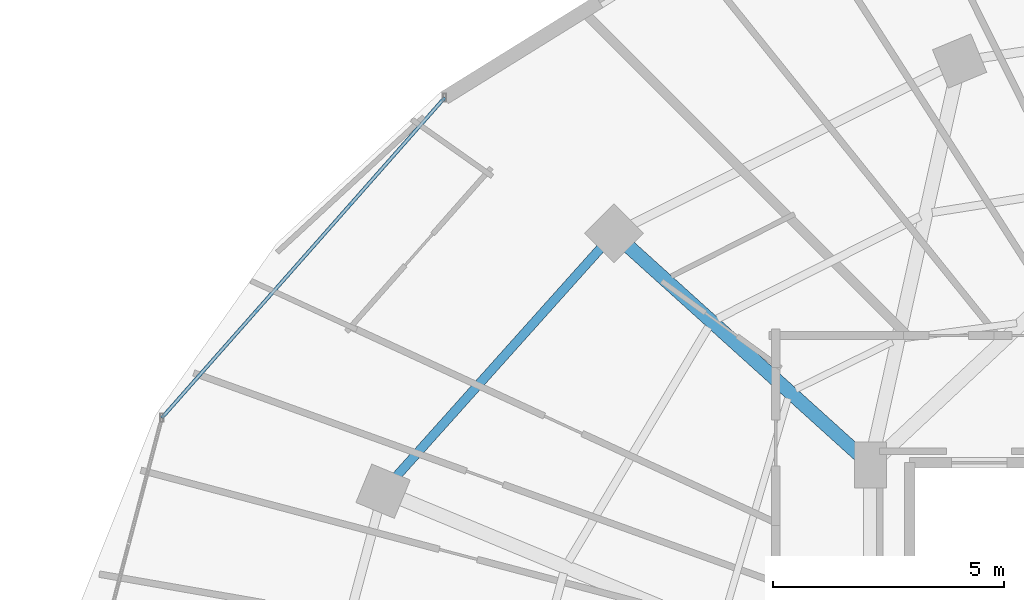
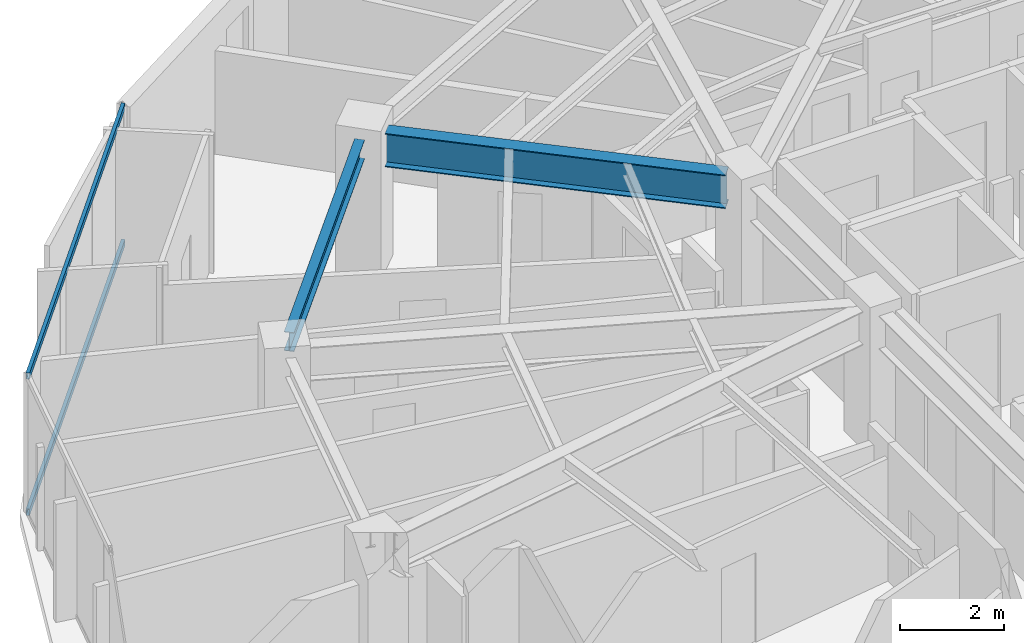
# One storey, part 16 of 34: 2 beams, 2 members, 1 element without a shape of its own.
"""IFC4 building model written with IfcOpenShell, lengths in metres."""

import ifcopenshell
import ifcopenshell.guid

model = None  # the IFC model being written
_history = None  # IfcOwnerHistory: only IFC2X3 demands one
_inside = {}  # id of a spatial element -> (the spatial element, [elements in it])
_under = {}  # id of a project, library or spatial element -> (it, [spatial elements below it])
_declared = {}  # id of a project -> (the project, [libraries it declares])
_typed = {}  # id of a type object -> (the type object, [elements of that type])
_made_of = {}  # id of a material, layer set ... -> (it, [elements and type objects made of it])


def new_model(schema):
    """Start an empty IFC model of exactly this schema.

    Asked for "IFC4X3", IfcOpenShell would pick the latest addendum, in which some entities
    have other attributes; the version numbers below select the first issue.
    IFC2X3 requires an IfcOwnerHistory on every rooted entity: one is made here for all.
    """
    global model, _history
    if schema == "IFC4X3":
        model = ifcopenshell.file(schema_version=(4, 3, 0, 0))
    else:
        model = ifcopenshell.file(schema=schema)
    _inside.clear()
    _under.clear()
    _declared.clear()
    _typed.clear()
    _made_of.clear()
    _history = None
    if model.schema == "IFC2X3":
        org = make("IfcOrganization", Name="unknown")
        user = make(
            "IfcPersonAndOrganization",
            ThePerson=make("IfcPerson", FamilyName="unknown"),
            TheOrganization=org,
        )
        app = make(
            "IfcApplication",
            ApplicationDeveloper=org,
            Version="unknown",
            ApplicationFullName="unknown",
            ApplicationIdentifier="unknown",
        )
        _history = make(
            "IfcOwnerHistory",
            OwningUser=user,
            OwningApplication=app,
            ChangeAction="ADDED",
            CreationDate=0,
        )
    return model


def make(cls, **values):
    """One entity of the class cls with the attributes given. An attribute that is None is left unset."""
    return model.create_entity(
        cls, **{name: value for name, value in values.items() if value is not None}
    )


def rooted(cls, **values):
    """An entity with a GlobalId (a new one), such as an element, a storey or a relation."""
    return make(cls, GlobalId=ifcopenshell.guid.new(), OwnerHistory=_history, **values)


def si_unit(unit_type, name, prefix=None):
    """IfcSIUnit, for example si_unit("LENGTHUNIT", "METRE", prefix="MILLI")."""
    return make("IfcSIUnit", UnitType=unit_type, Prefix=prefix, Name=name)


def assignment(units):
    """IfcUnitAssignment: the units of a project."""
    return None if units is None else make("IfcUnitAssignment", Units=units)


def point(xyz):
    """IfcCartesianPoint."""
    return None if xyz is None else make("IfcCartesianPoint", Coordinates=xyz)


def direction(xyz):
    """IfcDirection."""
    return None if xyz is None else make("IfcDirection", DirectionRatios=xyz)


def frame(location, z_axis=None, x_axis=None):
    """IfcAxis2Placement3D, a coordinate frame: its origin and axes. An axis left out is left unset."""
    return make(
        "IfcAxis2Placement3D",
        Location=point(location),
        Axis=direction(z_axis),
        RefDirection=direction(x_axis),
    )


def frame_2d(location, x_axis=None):
    """IfcAxis2Placement2D, a coordinate frame in the plane: its origin and x axis."""
    return make(
        "IfcAxis2Placement2D", Location=point(location), RefDirection=direction(x_axis)
    )


def origin():
    """The frame at (0, 0, 0) with its axes left unset."""
    return frame((0.0, 0.0, 0.0))


def origin_2d():
    """The frame at (0, 0) in the plane with its x axis left unset."""
    return frame_2d((0.0, 0.0))


def place(relative_to, where):
    """IfcLocalPlacement: puts the frame where relative to a parent placement (None: the world)."""
    return make(
        "IfcLocalPlacement", PlacementRelTo=relative_to, RelativePlacement=where
    )


def context(
    kind, dimensions, precision=None, world=None, true_north=None, identifier=None
):
    """IfcGeometricRepresentationContext, for example the 3D "Model" context."""
    return make(
        "IfcGeometricRepresentationContext",
        ContextIdentifier=identifier,
        ContextType=kind,
        CoordinateSpaceDimension=dimensions,
        Precision=precision,
        WorldCoordinateSystem=world,
        TrueNorth=true_north,
    )


def subcontext(parent, identifier, kind, view, scale=None):
    """IfcGeometricRepresentationSubContext, for example "Body" below "Model"."""
    return make(
        "IfcGeometricRepresentationSubContext",
        ContextIdentifier=identifier,
        ContextType=kind,
        ParentContext=parent,
        TargetScale=scale,
        TargetView=view,
    )


def project(units=None, contexts=None):
    """IfcProject with its units and contexts."""
    return rooted(
        "IfcProject",
        Name="project",
        RepresentationContexts=contexts,
        UnitsInContext=assignment(units),
    )


def spatial(cls, under=None, at=None, **own):
    """A site, building, storey or space (cls), placed at a placement, below another one or the project."""
    s = rooted(cls, ObjectPlacement=at, **own)
    if under is not None:
        _under.setdefault(under.id(), (under, []))[1].append(s)
    return s


def profile(cls, at=None, kind="AREA", **sizes):
    """A parametric profile (cls). Its sizes go by their IFC names, for example OverallWidth=200.0."""
    return make(cls, ProfileType=kind, Position=at, **sizes)


def hollow_rectangle(**sizes):
    """IfcRectangleHollowProfileDef."""
    return profile("IfcRectangleHollowProfileDef", **sizes)


def i_section(**sizes):
    """IfcIShapeProfileDef."""
    return profile("IfcIShapeProfileDef", **sizes)


def extrude(swept, where, along, depth):
    """IfcExtrudedAreaSolid: the profile swept, set in the frame where, extruded along a direction by depth."""
    return make(
        "IfcExtrudedAreaSolid",
        SweptArea=swept,
        Position=where,
        ExtrudedDirection=direction(along),
        Depth=depth,
    )


def shape(context_of_items, identifier, shape_type, items):
    """IfcShapeRepresentation: the items that make up one representation, for example the "Body"."""
    return make(
        "IfcShapeRepresentation",
        ContextOfItems=context_of_items,
        RepresentationIdentifier=identifier,
        RepresentationType=shape_type,
        Items=items,
    )


def material(Name=None, Category=None):
    """IfcMaterial."""
    return make("IfcMaterial", Name=Name, Category=Category)


def material_profile(
    of_material, cross_section, Name=None, Category=None, Priority=None
):
    """IfcMaterialProfile: a cross section and its material."""
    return make(
        "IfcMaterialProfile",
        Name=Name,
        Material=of_material,
        Profile=cross_section,
        Priority=Priority,
        Category=Category,
    )


def profile_set(profiles, Name=None, composite=None):
    """IfcMaterialProfileSet."""
    return make(
        "IfcMaterialProfileSet",
        Name=Name,
        MaterialProfiles=profiles,
        CompositeProfile=composite,
    )


def made_of(thing, what):
    """Note that an element or type object is made of a material, layer set ...; save() writes the relation."""
    if what is not None:
        _made_of.setdefault(what.id(), (what, []))[1].append(thing)
    return thing


def type_object(cls, material=None, **own):
    """A type object (cls), such as IfcWallType, which elements share."""
    return made_of(rooted(cls, **own), material)


def element(
    cls,
    number,
    at=None,
    inside=None,
    cuts=None,
    type_object=None,
    material=None,
    context=None,
    identifier="Body",
    shape_type=None,
    held_by="IfcProductDefinitionShape",
    body=None,
    shapes=None,
    **own,
):
    """One element of the class cls, such as IfcWall. Its Tag is "e" and its number.

    at: its placement. inside: the storey or other place that contains it. cuts: it is an
    opening in that element (IfcRelVoidsElement). A single representation is given by context,
    identifier, shape_type and body (its items); several are given by shapes. held_by: the class
    of the entity that holds the representations. save() writes the other relations.
    """
    e = rooted(cls, Tag="e%d" % number, ObjectPlacement=at, **own)
    if body is not None:
        shapes = [shape(context, identifier, shape_type, body)]
    if shapes is not None:
        e.Representation = make(held_by, Representations=shapes)
    if inside is not None:
        _inside.setdefault(inside.id(), (inside, []))[1].append(e)
    if cuts is not None:
        rooted(
            "IfcRelVoidsElement", RelatingBuildingElement=cuts, RelatedOpeningElement=e
        )
    if type_object is not None:
        _typed.setdefault(type_object.id(), (type_object, []))[1].append(e)
    return made_of(e, material)


def aggregate(whole, parts):
    """IfcRelAggregates: a whole, such as a stair, and the parts it consists of."""
    return rooted("IfcRelAggregates", RelatingObject=whole, RelatedObjects=parts)


def save(model, path):
    """Write the relations noted so far, then the file.

    IfcRelAggregates (storeys below a building ...), IfcRelContainedInSpatialStructure (elements
    in a storey), IfcRelDefinesByType, IfcRelAssociatesMaterial and IfcRelDeclares: one each for
    every whole, place, type object, material and project.
    """
    for whole, parts in _under.values():
        aggregate(whole, parts)
    for where, things in _inside.values():
        rooted(
            "IfcRelContainedInSpatialStructure",
            RelatedElements=things,
            RelatingStructure=where,
        )
    for kind, things in _typed.values():
        rooted("IfcRelDefinesByType", RelatedObjects=things, RelatingType=kind)
    for what, things in _made_of.values():
        rooted("IfcRelAssociatesMaterial", RelatedObjects=things, RelatingMaterial=what)
    for by, libraries in _declared.values():
        rooted("IfcRelDeclares", RelatingContext=by, RelatedDefinitions=libraries)
    model.write(path)


model = new_model("IFC4")

# Units and contexts
model_context = context("Model", 3, precision=1e-05, world=origin(), true_north=direction((0.0, 1.0)))
body_context = subcontext(model_context, "Body", "Model", "MODEL_VIEW")
ifc_project = project(units=[si_unit("LENGTHUNIT", "METRE"), si_unit("AREAUNIT", "SQUARE_METRE"), si_unit("VOLUMEUNIT", "CUBIC_METRE"), si_unit("PLANEANGLEUNIT", "RADIAN"), si_unit("MASSUNIT", "GRAM", prefix="KILO")], contexts=[model_context])

# Site, building, storey
site_placement = place(None, origin())
site = spatial("IfcSite", under=ifc_project, at=site_placement, CompositionType="ELEMENT")
building_placement = place(site_placement, origin())
building = spatial("IfcBuilding", under=site, at=building_placement, Name="Vorneva Point Tower", CompositionType="ELEMENT")
storey_placement = place(building_placement, frame((0.0, 0.0, 186.10009765625)))
storey = spatial("IfcBuildingStorey", under=building, at=storey_placement, Name="L50", CompositionType="ELEMENT", Elevation=186.10009765625)

# Beams
ifc_material_1 = material(Name="Steel S355", Category="steel")
ifc_material_profile_1 = material_profile(ifc_material_1, i_section(OverallWidth=0.300048828125, OverallDepth=0.7880859375, WebThickness=0.014404296875, FlangeThickness=0.02197265625, at=origin_2d()), Name="80Sh1")
ifc_profile_set_1 = profile_set([ifc_material_profile_1], Name="Steel S355")
beam_type_1 = type_object("IfcBeamType", Name="BM-GRD-80Sh1", PredefinedType="USERDEFINED", material=ifc_profile_set_1)
beam_1_placement = place(storey_placement, frame((22.026123046875, 37.86865234375, 2.845947265625), z_axis=(0.742089778537, -0.670300500217, 0.0), x_axis=(0.670300500217, 0.742089778537, 0.0)))
element("IfcBeam", 1, at=beam_1_placement, inside=storey, type_object=beam_type_1, Name="L50 Radial Primary Girder 07", ObjectType="GIRDER", PredefinedType="USERDEFINED", context=body_context, shape_type="SweptSolid", body=[
    extrude(i_section(OverallWidth=0.300048828125, OverallDepth=0.7880859375, WebThickness=0.014404296875, FlangeThickness=0.02197265625, at=origin_2d()), origin(), (0.0, 0.0, 1.0), 6.699462890625),
])
ifc_material_profile_2 = material_profile(ifc_material_1, i_section(OverallWidth=0.198974609375, OverallDepth=0.446044921875, WebThickness=0.008056640625, FlangeThickness=0.011962890625, at=origin_2d()), Name="45B1")
ifc_profile_set_2 = profile_set([ifc_material_profile_2], Name="Steel S355")
beam_type_2 = type_object("IfcBeamType", Name="BM-SPN-45B1", PredefinedType="SPANDREL", material=ifc_profile_set_2)
beam_2_placement = place(storey_placement, frame((21.410888671875, 37.838134765625, 3.016845703125), z_axis=(-0.66706970547, -0.744995307397, 0.0), x_axis=(0.744995307397, -0.66706970547, 0.0)))
element("IfcBeam", 2, at=beam_2_placement, inside=storey, type_object=beam_type_2, Name="L50 Perimeter Spandrel Ring Beam 07", PredefinedType="SPANDREL", context=body_context, shape_type="SweptSolid", body=[
    extrude(i_section(OverallWidth=0.198974609375, OverallDepth=0.446044921875, WebThickness=0.008056640625, FlangeThickness=0.011962890625, at=origin_2d()), origin(), (0.0, 0.0, 1.0), 6.6201171875),
])

# Curtain wall, members
ifc_material_2 = material(Name="Pale anodised aluminium", Category="aluminium")
curtain_wall_type = type_object("IfcCurtainWallType", Name="CW-RES-SYS", PredefinedType="NOTDEFINED", material=ifc_material_2)
curtain_wall_placement = place(storey_placement, origin())
curtain_wall = element("IfcCurtainWall", 3, at=curtain_wall_placement, inside=storey, type_object=curtain_wall_type, Name="L50 Unitised Curtain Wall CW-L50-R02", PredefinedType="NOTDEFINED")
ifc_material_profile_3 = material_profile(ifc_material_2, hollow_rectangle(XDim=0.074951171875, YDim=0.14990234375, WallThickness=0.00390625, at=origin_2d()), Name="AL-TRN 150x75x4")
ifc_profile_set_3 = profile_set([ifc_material_profile_3], Name="Pale anodised aluminium")
member_type = type_object("IfcMemberType", Name="CW-TRN-150", PredefinedType="USERDEFINED", material=ifc_profile_set_3)
member_1_placement = place(storey_placement, frame((18.038330078125, 41.0966796875, 0.02001953125), z_axis=(-0.662106383869, -0.749409858782, 0.0), x_axis=(0.749409858782, -0.662106383869, 0.0)))
member_1 = element("IfcMember", 4, at=member_1_placement, type_object=member_type, Name="CW-L50-R02 Transom 01.1", ObjectType="TRANSOM", PredefinedType="USERDEFINED", context=body_context, shape_type="SweptSolid", body=[
    extrude(hollow_rectangle(XDim=0.074951171875, YDim=0.14990234375, WallThickness=0.00390625, at=origin_2d()), origin(), (0.0, 0.0, 1.0), 9.2421875),
])
member_2_placement = place(storey_placement, frame((18.038330078125, 41.0966796875, 3.219970703125), z_axis=(-0.662106383869, -0.749409858782, 0.0), x_axis=(0.749409858782, -0.662106383869, 0.0)))
member_2 = element("IfcMember", 5, at=member_2_placement, type_object=member_type, Name="CW-L50-R02 Transom 01.2", ObjectType="TRANSOM", PredefinedType="USERDEFINED", context=body_context, shape_type="SweptSolid", body=[
    extrude(hollow_rectangle(XDim=0.074951171875, YDim=0.14990234375, WallThickness=0.00390625, at=origin_2d()), origin(), (0.0, 0.0, 1.0), 9.2421875),
])
aggregate(curtain_wall, [member_1, member_2])

save(model, "model.ifc")
